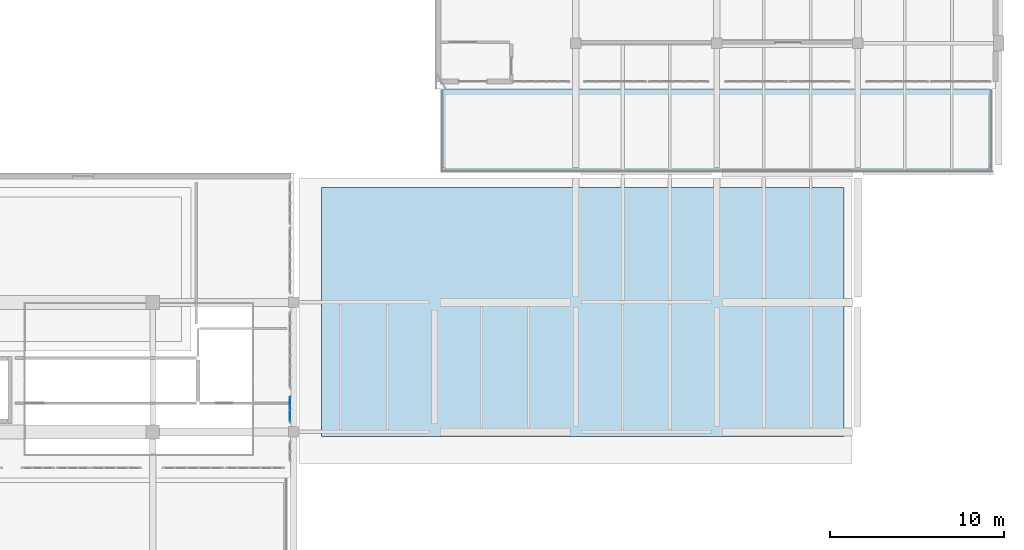
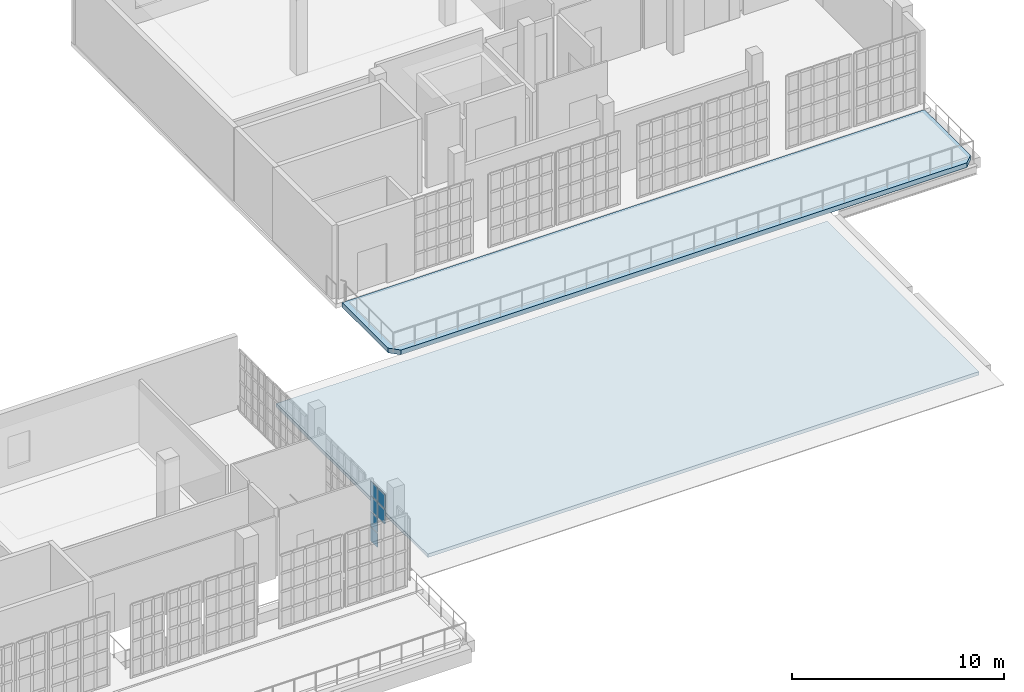
# One storey, part 37 of 56: 6 plates, 2 slabs, 1 element without a shape of its own.
"""IFC4 building model written with IfcOpenShell, lengths in metres."""

from ifc_helpers import new_model, si_unit, direction, frame, origin, origin_2d, place, context, subcontext, project, spatial, polyline, rectangle, outline, extrude, material, layer, layer_set, type_object, element, aggregate, save


model = new_model("IFC4")

# Units and contexts
model_context = context("Model", 3, precision=1e-05, world=origin(), true_north=direction((0.0, 1.0)))
body_context = subcontext(model_context, "Body", "Model", "MODEL_VIEW")
ifc_project = project(units=[si_unit("LENGTHUNIT", "METRE"), si_unit("AREAUNIT", "SQUARE_METRE"), si_unit("VOLUMEUNIT", "CUBIC_METRE"), si_unit("PLANEANGLEUNIT", "RADIAN"), si_unit("MASSUNIT", "GRAM", prefix="KILO")], contexts=[model_context])

# Site, building, storey
site_placement = place(None, origin())
site = spatial("IfcSite", under=ifc_project, at=site_placement, CompositionType="ELEMENT")
building_placement = place(site_placement, origin())
building = spatial("IfcBuilding", under=site, at=building_placement, Name="Kaelora Sail Theatre", CompositionType="ELEMENT")
storey_placement = place(building_placement, frame((0.0, 0.0, 14.699951171875)))
storey = spatial("IfcBuildingStorey", under=building, at=storey_placement, Name="L03", CompositionType="ELEMENT", Elevation=14.699951171875)

# Curtain wall, plates
ifc_material_1 = material(Name="Anodised aluminium and solar-control low-E IGU", Category="aluminium")
curtain_wall_type = type_object("IfcCurtainWallType", Name="ARC-CW-CW-BRG", PredefinedType="NOTDEFINED", material=ifc_material_1)
curtain_wall_placement = place(storey_placement, origin())
curtain_wall = element("IfcCurtainWall", 1, at=curtain_wall_placement, inside=storey, type_object=curtain_wall_type, Name="Glazed Colonnade/Courtyard Curtain Wall FC1-STEP-E-L03-01", PredefinedType="NOTDEFINED")
ifc_material_2 = material(Name="Solar-control laminated low-E glass", Category="glass")
ifc_layer_1 = layer(ifc_material_2, 0.031982421875)
ifc_layer_set_1 = layer_set([ifc_layer_1], Name="Solar-control laminated low-E glass")
plate_type = type_object("IfcPlateType", Name="ARC-CW-PNL", PredefinedType="CURTAIN_PANEL", material=ifc_layer_set_1)
plate_1_placement = place(storey_placement, frame((90.389892578125, 69.405029296875, 1.823486328125), z_axis=(0.0, 0.0, 1.0), x_axis=(0.0, 1.0, 0.0)))
plate_1 = element("IfcPlate", 2, at=plate_1_placement, type_object=plate_type, Name="CW-BRG panel 1.3", PredefinedType="CURTAIN_PANEL", context=body_context, shape_type="SweptSolid", body=[
    extrude(rectangle(XDim=0.64990234375, YDim=0.031982421875, at=origin_2d()), origin(), (0.0, 0.0, 1.0), 0.82421875),
])
plate_2_placement = place(storey_placement, frame((90.389892578125, 69.405029296875, 2.7177734375), z_axis=(0.0, 0.0, 1.0), x_axis=(0.0, 1.0, 0.0)))
plate_2 = element("IfcPlate", 3, at=plate_2_placement, type_object=plate_type, Name="CW-BRG panel 1.4", PredefinedType="CURTAIN_PANEL", context=body_context, shape_type="SweptSolid", body=[
    extrude(rectangle(XDim=0.64990234375, YDim=0.031982421875, at=origin_2d()), origin(), (0.0, 0.0, 1.0), 0.789306640625),
])
plate_3_placement = place(storey_placement, frame((90.389892578125, 70.114990234375, 0.06982421875), z_axis=(0.0, 0.0, 1.0), x_axis=(0.0, 1.0, 0.0)))
plate_3 = element("IfcPlate", 4, at=plate_3_placement, type_object=plate_type, Name="CW-BRG panel 2.1", PredefinedType="CURTAIN_PANEL", context=body_context, shape_type="SweptSolid", body=[
    extrude(rectangle(XDim=0.64990234375, YDim=0.031982421875, at=origin_2d()), origin(), (0.0, 0.0, 1.0), 0.789306640625),
])
plate_4_placement = place(storey_placement, frame((90.389892578125, 70.114990234375, 0.92919921875), z_axis=(0.0, 0.0, 1.0), x_axis=(0.0, 1.0, 0.0)))
plate_4 = element("IfcPlate", 5, at=plate_4_placement, type_object=plate_type, Name="CW-BRG panel 2.2", PredefinedType="CURTAIN_PANEL", context=body_context, shape_type="SweptSolid", body=[
    extrude(rectangle(XDim=0.64990234375, YDim=0.031982421875, at=origin_2d()), origin(), (0.0, 0.0, 1.0), 0.82421875),
])
plate_5_placement = place(storey_placement, frame((90.389892578125, 70.114990234375, 1.823486328125), z_axis=(0.0, 0.0, 1.0), x_axis=(0.0, 1.0, 0.0)))
plate_5 = element("IfcPlate", 6, at=plate_5_placement, type_object=plate_type, Name="CW-BRG panel 2.3", PredefinedType="CURTAIN_PANEL", context=body_context, shape_type="SweptSolid", body=[
    extrude(rectangle(XDim=0.64990234375, YDim=0.031982421875, at=origin_2d()), origin(), (0.0, 0.0, 1.0), 0.82421875),
])
plate_6_placement = place(storey_placement, frame((90.389892578125, 70.114990234375, 2.7177734375), z_axis=(0.0, 0.0, 1.0), x_axis=(0.0, 1.0, 0.0)))
plate_6 = element("IfcPlate", 7, at=plate_6_placement, type_object=plate_type, Name="CW-BRG panel 2.4", PredefinedType="CURTAIN_PANEL", context=body_context, shape_type="SweptSolid", body=[
    extrude(rectangle(XDim=0.64990234375, YDim=0.031982421875, at=origin_2d()), origin(), (0.0, 0.0, 1.0), 0.789306640625),
])
aggregate(curtain_wall, [plate_1, plate_2, plate_3, plate_4, plate_5, plate_6])

# Slabs
ifc_material_3 = material(Name="Concrete C40/50", Category="concrete")
ifc_layer_2 = layer(ifc_material_3, 0.195068359375)
ifc_layer_set_2 = layer_set([ifc_layer_2], Name="Concrete C40/50")
slab_type_1 = type_object("IfcSlabType", Name="STR-SLB-SL-RF195", PredefinedType="ROOF", material=ifc_layer_set_2)
slab_1_placement = place(storey_placement, frame((0.0, 0.0, -0.195068359375)))
element("IfcSlab", 8, at=slab_1_placement, inside=storey, type_object=slab_type_1, Name="Flat wing roof slab RF-FC2-TOP", PredefinedType="ROOF", context=body_context, shape_type="SweptSolid", body=[
    extrude(outline(polyline([(92.199951171875, 82.5), (122.199951171875, 82.5), (122.199951171875, 68.199951171875), (92.199951171875, 68.199951171875), (92.199951171875, 82.5)])), origin(), (0.0, 0.0, 1.0), 0.195068359375),
])
ifc_material_4 = material(Name="Concrete C40/50", Category="concrete")
ifc_layer_3 = layer(ifc_material_4, 0.27490234375)
ifc_layer_set_3 = layer_set([ifc_layer_3], Name="Concrete C40/50")
slab_type_2 = type_object("IfcSlabType", Name="STR-SLB-SL-TR275", PredefinedType="FLOOR", material=ifc_layer_set_3)
slab_2_placement = place(storey_placement, frame((0.0, 0.0, -0.27490234375)))
element("IfcSlab", 9, at=slab_2_placement, inside=storey, type_object=slab_type_2, Name="Fourth Step Choreography Planted Garden Terrace", PredefinedType="FLOOR", context=body_context, shape_type="SweptSolid", body=[
    extrude(outline(polyline([(99.5, 83.35498046875), (130.300048828125, 83.35498046875), (130.75, 83.804931640625), (130.75, 88.135009765625), (99.050048828125, 88.135009765625), (99.050048828125, 83.804931640625), (99.5, 83.35498046875)])), origin(), (0.0, 0.0, 1.0), 0.27490234375),
])

save(model, "model.ifc")
